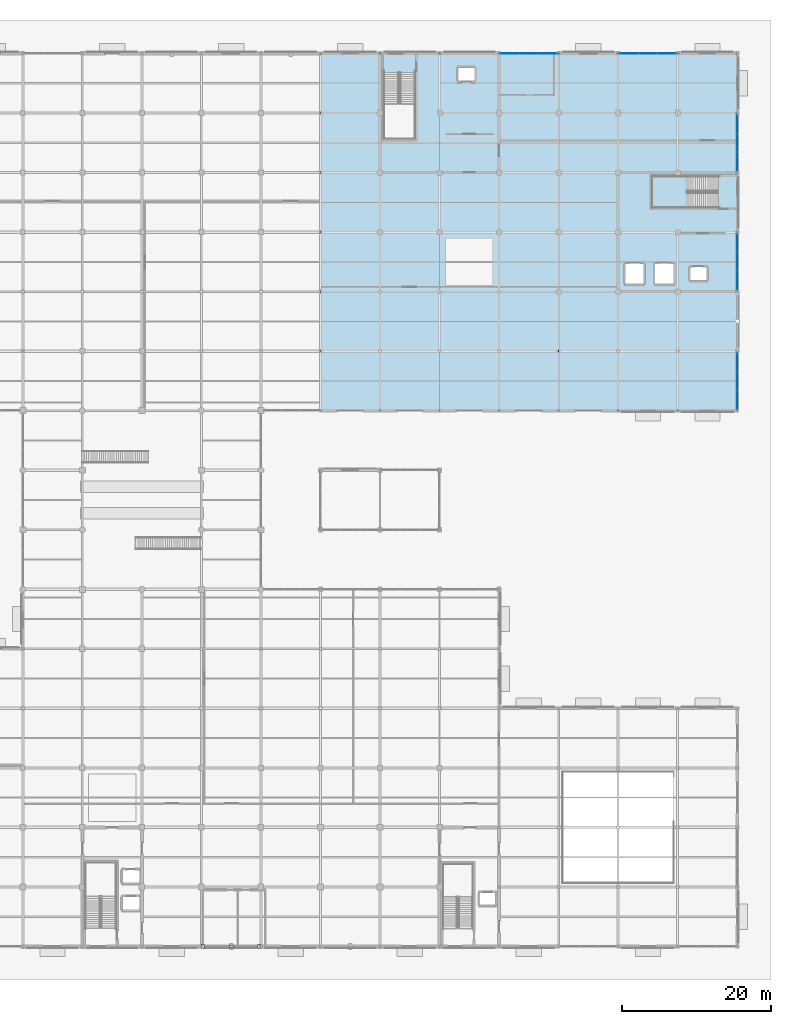
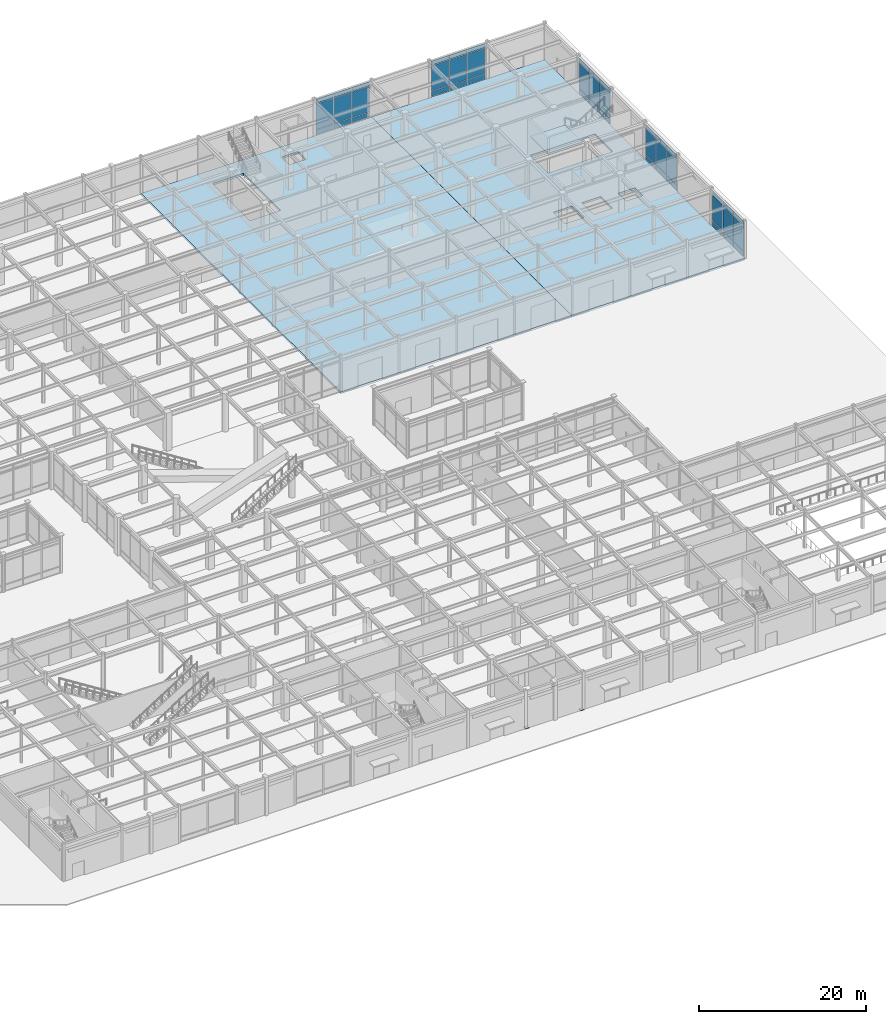
# One storey, part 99 of 128: 48 plates, 3 slabs, 6 elements without a shape of their own.
"""IFC4 building model written with IfcOpenShell, lengths in metres."""

from ifc_helpers import new_model, si_unit, direction, frame, origin, origin_2d, place, context, subcontext, project, spatial, polyline, rectangle, outline, extrude, material, layer, layer_set, type_object, element, aggregate, save


model = new_model("IFC4")

# Units and contexts
model_context = context("Model", 3, precision=1e-05, world=origin(), true_north=direction((0.0, 1.0)))
body_context = subcontext(model_context, "Body", "Model", "MODEL_VIEW")
ifc_project = project(units=[si_unit("LENGTHUNIT", "METRE"), si_unit("AREAUNIT", "SQUARE_METRE"), si_unit("VOLUMEUNIT", "CUBIC_METRE"), si_unit("PLANEANGLEUNIT", "RADIAN"), si_unit("MASSUNIT", "GRAM", prefix="KILO")], contexts=[model_context])

# Site, building, storey
site_placement = place(None, origin())
site = spatial("IfcSite", under=ifc_project, at=site_placement, CompositionType="ELEMENT")
building_placement = place(site_placement, origin())
building = spatial("IfcBuilding", under=site, at=building_placement, Name="Solmirada Galleria", CompositionType="ELEMENT")
storey_placement = place(building_placement, origin())
storey = spatial("IfcBuildingStorey", under=building, at=storey_placement, Name="L00", CompositionType="ELEMENT", Elevation=0.0)

# Curtain wall, plates
ifc_material_1 = material(Name="Impact-resistant low-E double glazing", Category="glass")
curtain_wall_type_1 = type_object("IfcCurtainWallType", Name="CW-FZ2-L00-B3-L076", PredefinedType="NOTDEFINED", material=ifc_material_1)
curtain_wall_1_placement = place(storey_placement, origin())
curtain_wall_1 = element("IfcCurtainWall", 1, at=curtain_wall_1_placement, inside=storey, type_object=curtain_wall_type_1, Name="Terrace and arcade storefront CW-L00-010", PredefinedType="NOTDEFINED")
ifc_layer_1 = layer(ifc_material_1, 0.031982421875)
ifc_layer_set_1 = layer_set([ifc_layer_1], Name="Impact-resistant low-E double glazing")
plate_type_1 = type_object("IfcPlateType", Name="CW-PNL-CW05-T32", PredefinedType="CURTAIN_PANEL", material=ifc_layer_set_1)
plate_1_placement = place(storey_placement, frame((145.487548828125, 120.0, 0.06494140625), z_axis=(0.0, 0.0, 1.0), x_axis=(1.0, 0.0, 0.0)))
plate_1 = element("IfcPlate", 2, at=plate_1_placement, type_object=plate_type_1, Name="CW05 panel 1.1", PredefinedType="CURTAIN_PANEL", context=body_context, shape_type="SweptSolid", body=[
    extrude(rectangle(XDim=2.425048828125, YDim=0.031982421875, at=origin_2d()), origin(), (0.0, 0.0, 1.0), 0.722412109375),
])
plate_2_placement = place(storey_placement, frame((145.487548828125, 120.0, 0.8525390625), z_axis=(0.0, 0.0, 1.0), x_axis=(1.0, 0.0, 0.0)))
plate_2 = element("IfcPlate", 3, at=plate_2_placement, type_object=plate_type_1, Name="CW05 panel 1.2", PredefinedType="CURTAIN_PANEL", context=body_context, shape_type="SweptSolid", body=[
    extrude(rectangle(XDim=2.425048828125, YDim=0.031982421875, at=origin_2d()), origin(), (0.0, 0.0, 1.0), 3.72509765625),
])
plate_3_placement = place(storey_placement, frame((145.487548828125, 120.0, 4.642578125), z_axis=(0.0, 0.0, 1.0), x_axis=(1.0, 0.0, 0.0)))
plate_3 = element("IfcPlate", 4, at=plate_3_placement, type_object=plate_type_1, Name="CW05 panel 1.3", PredefinedType="CURTAIN_PANEL", context=body_context, shape_type="SweptSolid", body=[
    extrude(rectangle(XDim=2.425048828125, YDim=0.031982421875, at=origin_2d()), origin(), (0.0, 0.0, 1.0), 0.612548828125),
])
plate_4_placement = place(storey_placement, frame((148.0, 120.0, 0.06494140625), z_axis=(0.0, 0.0, 1.0), x_axis=(1.0, 0.0, 0.0)))
plate_4 = element("IfcPlate", 5, at=plate_4_placement, type_object=plate_type_1, Name="CW05 panel 2.1", PredefinedType="CURTAIN_PANEL", context=body_context, shape_type="SweptSolid", body=[
    extrude(rectangle(XDim=2.4599609375, YDim=0.031982421875, at=origin_2d()), origin(), (0.0, 0.0, 1.0), 0.722412109375),
])
plate_5_placement = place(storey_placement, frame((148.0, 120.0, 0.8525390625), z_axis=(0.0, 0.0, 1.0), x_axis=(1.0, 0.0, 0.0)))
plate_5 = element("IfcPlate", 6, at=plate_5_placement, type_object=plate_type_1, Name="CW05 panel 2.2", PredefinedType="CURTAIN_PANEL", context=body_context, shape_type="SweptSolid", body=[
    extrude(rectangle(XDim=2.4599609375, YDim=0.031982421875, at=origin_2d()), origin(), (0.0, 0.0, 1.0), 3.72509765625),
])
plate_6_placement = place(storey_placement, frame((148.0, 120.0, 4.642578125), z_axis=(0.0, 0.0, 1.0), x_axis=(1.0, 0.0, 0.0)))
plate_6 = element("IfcPlate", 7, at=plate_6_placement, type_object=plate_type_1, Name="CW05 panel 2.3", PredefinedType="CURTAIN_PANEL", context=body_context, shape_type="SweptSolid", body=[
    extrude(rectangle(XDim=2.4599609375, YDim=0.031982421875, at=origin_2d()), origin(), (0.0, 0.0, 1.0), 0.612548828125),
])
plate_7_placement = place(storey_placement, frame((150.512451171875, 120.0, 0.06494140625), z_axis=(0.0, 0.0, 1.0), x_axis=(1.0, 0.0, 0.0)))
plate_7 = element("IfcPlate", 8, at=plate_7_placement, type_object=plate_type_1, Name="CW05 panel 3.1", PredefinedType="CURTAIN_PANEL", context=body_context, shape_type="SweptSolid", body=[
    extrude(rectangle(XDim=2.425048828125, YDim=0.031982421875, at=origin_2d()), origin(), (0.0, 0.0, 1.0), 0.722412109375),
])
plate_8_placement = place(storey_placement, frame((150.512451171875, 120.0, 0.8525390625), z_axis=(0.0, 0.0, 1.0), x_axis=(1.0, 0.0, 0.0)))
plate_8 = element("IfcPlate", 9, at=plate_8_placement, type_object=plate_type_1, Name="CW05 panel 3.2", PredefinedType="CURTAIN_PANEL", context=body_context, shape_type="SweptSolid", body=[
    extrude(rectangle(XDim=2.425048828125, YDim=0.031982421875, at=origin_2d()), origin(), (0.0, 0.0, 1.0), 3.72509765625),
])
plate_9_placement = place(storey_placement, frame((150.512451171875, 120.0, 4.642578125), z_axis=(0.0, 0.0, 1.0), x_axis=(1.0, 0.0, 0.0)))
plate_9 = element("IfcPlate", 10, at=plate_9_placement, type_object=plate_type_1, Name="CW05 panel 3.3", PredefinedType="CURTAIN_PANEL", context=body_context, shape_type="SweptSolid", body=[
    extrude(rectangle(XDim=2.425048828125, YDim=0.031982421875, at=origin_2d()), origin(), (0.0, 0.0, 1.0), 0.612548828125),
])
aggregate(curtain_wall_1, [plate_1, plate_2, plate_3, plate_4, plate_5, plate_6, plate_7, plate_8, plate_9])

curtain_wall_2_placement = place(storey_placement, origin())
curtain_wall_2 = element("IfcCurtainWall", 11, at=curtain_wall_2_placement, inside=storey, type_object=curtain_wall_type_1, Name="Terrace and arcade storefront CW-L00-011", PredefinedType="NOTDEFINED")
plate_10_placement = place(storey_placement, frame((161.487548828125, 120.0, 0.06494140625), z_axis=(0.0, 0.0, 1.0), x_axis=(1.0, 0.0, 0.0)))
plate_10 = element("IfcPlate", 12, at=plate_10_placement, type_object=plate_type_1, Name="CW05 panel 1.1", PredefinedType="CURTAIN_PANEL", context=body_context, shape_type="SweptSolid", body=[
    extrude(rectangle(XDim=2.425048828125, YDim=0.031982421875, at=origin_2d()), origin(), (0.0, 0.0, 1.0), 0.722412109375),
])
plate_11_placement = place(storey_placement, frame((161.487548828125, 120.0, 0.8525390625), z_axis=(0.0, 0.0, 1.0), x_axis=(1.0, 0.0, 0.0)))
plate_11 = element("IfcPlate", 13, at=plate_11_placement, type_object=plate_type_1, Name="CW05 panel 1.2", PredefinedType="CURTAIN_PANEL", context=body_context, shape_type="SweptSolid", body=[
    extrude(rectangle(XDim=2.425048828125, YDim=0.031982421875, at=origin_2d()), origin(), (0.0, 0.0, 1.0), 3.72509765625),
])
plate_12_placement = place(storey_placement, frame((161.487548828125, 120.0, 4.642578125), z_axis=(0.0, 0.0, 1.0), x_axis=(1.0, 0.0, 0.0)))
plate_12 = element("IfcPlate", 14, at=plate_12_placement, type_object=plate_type_1, Name="CW05 panel 1.3", PredefinedType="CURTAIN_PANEL", context=body_context, shape_type="SweptSolid", body=[
    extrude(rectangle(XDim=2.425048828125, YDim=0.031982421875, at=origin_2d()), origin(), (0.0, 0.0, 1.0), 0.612548828125),
])
plate_13_placement = place(storey_placement, frame((164.0, 120.0, 0.06494140625), z_axis=(0.0, 0.0, 1.0), x_axis=(1.0, 0.0, 0.0)))
plate_13 = element("IfcPlate", 15, at=plate_13_placement, type_object=plate_type_1, Name="CW05 panel 2.1", PredefinedType="CURTAIN_PANEL", context=body_context, shape_type="SweptSolid", body=[
    extrude(rectangle(XDim=2.4599609375, YDim=0.031982421875, at=origin_2d()), origin(), (0.0, 0.0, 1.0), 0.722412109375),
])
plate_14_placement = place(storey_placement, frame((164.0, 120.0, 0.8525390625), z_axis=(0.0, 0.0, 1.0), x_axis=(1.0, 0.0, 0.0)))
plate_14 = element("IfcPlate", 16, at=plate_14_placement, type_object=plate_type_1, Name="CW05 panel 2.2", PredefinedType="CURTAIN_PANEL", context=body_context, shape_type="SweptSolid", body=[
    extrude(rectangle(XDim=2.4599609375, YDim=0.031982421875, at=origin_2d()), origin(), (0.0, 0.0, 1.0), 3.72509765625),
])
plate_15_placement = place(storey_placement, frame((164.0, 120.0, 4.642578125), z_axis=(0.0, 0.0, 1.0), x_axis=(1.0, 0.0, 0.0)))
plate_15 = element("IfcPlate", 17, at=plate_15_placement, type_object=plate_type_1, Name="CW05 panel 2.3", PredefinedType="CURTAIN_PANEL", context=body_context, shape_type="SweptSolid", body=[
    extrude(rectangle(XDim=2.4599609375, YDim=0.031982421875, at=origin_2d()), origin(), (0.0, 0.0, 1.0), 0.612548828125),
])
plate_16_placement = place(storey_placement, frame((166.512451171875, 120.0, 0.06494140625), z_axis=(0.0, 0.0, 1.0), x_axis=(1.0, 0.0, 0.0)))
plate_16 = element("IfcPlate", 18, at=plate_16_placement, type_object=plate_type_1, Name="CW05 panel 3.1", PredefinedType="CURTAIN_PANEL", context=body_context, shape_type="SweptSolid", body=[
    extrude(rectangle(XDim=2.425048828125, YDim=0.031982421875, at=origin_2d()), origin(), (0.0, 0.0, 1.0), 0.722412109375),
])
plate_17_placement = place(storey_placement, frame((166.512451171875, 120.0, 0.8525390625), z_axis=(0.0, 0.0, 1.0), x_axis=(1.0, 0.0, 0.0)))
plate_17 = element("IfcPlate", 19, at=plate_17_placement, type_object=plate_type_1, Name="CW05 panel 3.2", PredefinedType="CURTAIN_PANEL", context=body_context, shape_type="SweptSolid", body=[
    extrude(rectangle(XDim=2.425048828125, YDim=0.031982421875, at=origin_2d()), origin(), (0.0, 0.0, 1.0), 3.72509765625),
])
plate_18_placement = place(storey_placement, frame((166.512451171875, 120.0, 4.642578125), z_axis=(0.0, 0.0, 1.0), x_axis=(1.0, 0.0, 0.0)))
plate_18 = element("IfcPlate", 20, at=plate_18_placement, type_object=plate_type_1, Name="CW05 panel 3.3", PredefinedType="CURTAIN_PANEL", context=body_context, shape_type="SweptSolid", body=[
    extrude(rectangle(XDim=2.425048828125, YDim=0.031982421875, at=origin_2d()), origin(), (0.0, 0.0, 1.0), 0.612548828125),
])
aggregate(curtain_wall_2, [plate_10, plate_11, plate_12, plate_13, plate_14, plate_15, plate_16, plate_17, plate_18])

curtain_wall_3_placement = place(storey_placement, origin())
curtain_wall_3 = element("IfcCurtainWall", 21, at=curtain_wall_3_placement, inside=storey, type_object=curtain_wall_type_1, Name="Terrace and arcade storefront CW-L00-012", PredefinedType="NOTDEFINED")
plate_19_placement = place(storey_placement, frame((176.0, 110.512451171875, 0.06494140625), z_axis=(0.0, 0.0, 1.0), x_axis=(0.0, -1.0, 0.0)))
plate_19 = element("IfcPlate", 22, at=plate_19_placement, type_object=plate_type_1, Name="CW05 panel 1.1", PredefinedType="CURTAIN_PANEL", context=body_context, shape_type="SweptSolid", body=[
    extrude(rectangle(XDim=2.425048828125, YDim=0.031982421875, at=origin_2d()), origin(), (0.0, 0.0, 1.0), 0.722412109375),
])
plate_20_placement = place(storey_placement, frame((176.0, 110.512451171875, 0.8525390625), z_axis=(0.0, 0.0, 1.0), x_axis=(0.0, -1.0, 0.0)))
plate_20 = element("IfcPlate", 23, at=plate_20_placement, type_object=plate_type_1, Name="CW05 panel 1.2", PredefinedType="CURTAIN_PANEL", context=body_context, shape_type="SweptSolid", body=[
    extrude(rectangle(XDim=2.425048828125, YDim=0.031982421875, at=origin_2d()), origin(), (0.0, 0.0, 1.0), 3.72509765625),
])
plate_21_placement = place(storey_placement, frame((176.0, 110.512451171875, 4.642578125), z_axis=(0.0, 0.0, 1.0), x_axis=(0.0, -1.0, 0.0)))
plate_21 = element("IfcPlate", 24, at=plate_21_placement, type_object=plate_type_1, Name="CW05 panel 1.3", PredefinedType="CURTAIN_PANEL", context=body_context, shape_type="SweptSolid", body=[
    extrude(rectangle(XDim=2.425048828125, YDim=0.031982421875, at=origin_2d()), origin(), (0.0, 0.0, 1.0), 0.612548828125),
])
plate_22_placement = place(storey_placement, frame((176.0, 108.0, 0.06494140625), z_axis=(0.0, 0.0, 1.0), x_axis=(0.0, -1.0, 0.0)))
plate_22 = element("IfcPlate", 25, at=plate_22_placement, type_object=plate_type_1, Name="CW05 panel 2.1", PredefinedType="CURTAIN_PANEL", context=body_context, shape_type="SweptSolid", body=[
    extrude(rectangle(XDim=2.4599609375, YDim=0.031982421875, at=origin_2d()), origin(), (0.0, 0.0, 1.0), 0.722412109375),
])
plate_23_placement = place(storey_placement, frame((176.0, 108.0, 0.8525390625), z_axis=(0.0, 0.0, 1.0), x_axis=(0.0, -1.0, 0.0)))
plate_23 = element("IfcPlate", 26, at=plate_23_placement, type_object=plate_type_1, Name="CW05 panel 2.2", PredefinedType="CURTAIN_PANEL", context=body_context, shape_type="SweptSolid", body=[
    extrude(rectangle(XDim=2.4599609375, YDim=0.031982421875, at=origin_2d()), origin(), (0.0, 0.0, 1.0), 3.72509765625),
])
plate_24_placement = place(storey_placement, frame((176.0, 108.0, 4.642578125), z_axis=(0.0, 0.0, 1.0), x_axis=(0.0, -1.0, 0.0)))
plate_24 = element("IfcPlate", 27, at=plate_24_placement, type_object=plate_type_1, Name="CW05 panel 2.3", PredefinedType="CURTAIN_PANEL", context=body_context, shape_type="SweptSolid", body=[
    extrude(rectangle(XDim=2.4599609375, YDim=0.031982421875, at=origin_2d()), origin(), (0.0, 0.0, 1.0), 0.612548828125),
])
plate_25_placement = place(storey_placement, frame((176.0, 105.487548828125, 0.06494140625), z_axis=(0.0, 0.0, 1.0), x_axis=(0.0, -1.0, 0.0)))
plate_25 = element("IfcPlate", 28, at=plate_25_placement, type_object=plate_type_1, Name="CW05 panel 3.1", PredefinedType="CURTAIN_PANEL", context=body_context, shape_type="SweptSolid", body=[
    extrude(rectangle(XDim=2.425048828125, YDim=0.031982421875, at=origin_2d()), origin(), (0.0, 0.0, 1.0), 0.722412109375),
])
plate_26_placement = place(storey_placement, frame((176.0, 105.487548828125, 0.8525390625), z_axis=(0.0, 0.0, 1.0), x_axis=(0.0, -1.0, 0.0)))
plate_26 = element("IfcPlate", 29, at=plate_26_placement, type_object=plate_type_1, Name="CW05 panel 3.2", PredefinedType="CURTAIN_PANEL", context=body_context, shape_type="SweptSolid", body=[
    extrude(rectangle(XDim=2.425048828125, YDim=0.031982421875, at=origin_2d()), origin(), (0.0, 0.0, 1.0), 3.72509765625),
])
plate_27_placement = place(storey_placement, frame((176.0, 105.487548828125, 4.642578125), z_axis=(0.0, 0.0, 1.0), x_axis=(0.0, -1.0, 0.0)))
plate_27 = element("IfcPlate", 30, at=plate_27_placement, type_object=plate_type_1, Name="CW05 panel 3.3", PredefinedType="CURTAIN_PANEL", context=body_context, shape_type="SweptSolid", body=[
    extrude(rectangle(XDim=2.425048828125, YDim=0.031982421875, at=origin_2d()), origin(), (0.0, 0.0, 1.0), 0.612548828125),
])
aggregate(curtain_wall_3, [plate_19, plate_20, plate_21, plate_22, plate_23, plate_24, plate_25, plate_26, plate_27])

curtain_wall_4_placement = place(storey_placement, origin())
curtain_wall_4 = element("IfcCurtainWall", 31, at=curtain_wall_4_placement, inside=storey, type_object=curtain_wall_type_1, Name="Terrace and arcade storefront CW-L00-013", PredefinedType="NOTDEFINED")
plate_28_placement = place(storey_placement, frame((176.0, 94.512451171875, 0.06494140625), z_axis=(0.0, 0.0, 1.0), x_axis=(0.0, -1.0, 0.0)))
plate_28 = element("IfcPlate", 32, at=plate_28_placement, type_object=plate_type_1, Name="CW05 panel 1.1", PredefinedType="CURTAIN_PANEL", context=body_context, shape_type="SweptSolid", body=[
    extrude(rectangle(XDim=2.425048828125, YDim=0.031982421875, at=origin_2d()), origin(), (0.0, 0.0, 1.0), 0.722412109375),
])
plate_29_placement = place(storey_placement, frame((176.0, 94.512451171875, 0.8525390625), z_axis=(0.0, 0.0, 1.0), x_axis=(0.0, -1.0, 0.0)))
plate_29 = element("IfcPlate", 33, at=plate_29_placement, type_object=plate_type_1, Name="CW05 panel 1.2", PredefinedType="CURTAIN_PANEL", context=body_context, shape_type="SweptSolid", body=[
    extrude(rectangle(XDim=2.425048828125, YDim=0.031982421875, at=origin_2d()), origin(), (0.0, 0.0, 1.0), 3.72509765625),
])
plate_30_placement = place(storey_placement, frame((176.0, 94.512451171875, 4.642578125), z_axis=(0.0, 0.0, 1.0), x_axis=(0.0, -1.0, 0.0)))
plate_30 = element("IfcPlate", 34, at=plate_30_placement, type_object=plate_type_1, Name="CW05 panel 1.3", PredefinedType="CURTAIN_PANEL", context=body_context, shape_type="SweptSolid", body=[
    extrude(rectangle(XDim=2.425048828125, YDim=0.031982421875, at=origin_2d()), origin(), (0.0, 0.0, 1.0), 0.612548828125),
])
plate_31_placement = place(storey_placement, frame((176.0, 92.0, 0.06494140625), z_axis=(0.0, 0.0, 1.0), x_axis=(0.0, -1.0, 0.0)))
plate_31 = element("IfcPlate", 35, at=plate_31_placement, type_object=plate_type_1, Name="CW05 panel 2.1", PredefinedType="CURTAIN_PANEL", context=body_context, shape_type="SweptSolid", body=[
    extrude(rectangle(XDim=2.4599609375, YDim=0.031982421875, at=origin_2d()), origin(), (0.0, 0.0, 1.0), 0.722412109375),
])
plate_32_placement = place(storey_placement, frame((176.0, 92.0, 0.8525390625), z_axis=(0.0, 0.0, 1.0), x_axis=(0.0, -1.0, 0.0)))
plate_32 = element("IfcPlate", 36, at=plate_32_placement, type_object=plate_type_1, Name="CW05 panel 2.2", PredefinedType="CURTAIN_PANEL", context=body_context, shape_type="SweptSolid", body=[
    extrude(rectangle(XDim=2.4599609375, YDim=0.031982421875, at=origin_2d()), origin(), (0.0, 0.0, 1.0), 3.72509765625),
])
plate_33_placement = place(storey_placement, frame((176.0, 92.0, 4.642578125), z_axis=(0.0, 0.0, 1.0), x_axis=(0.0, -1.0, 0.0)))
plate_33 = element("IfcPlate", 37, at=plate_33_placement, type_object=plate_type_1, Name="CW05 panel 2.3", PredefinedType="CURTAIN_PANEL", context=body_context, shape_type="SweptSolid", body=[
    extrude(rectangle(XDim=2.4599609375, YDim=0.031982421875, at=origin_2d()), origin(), (0.0, 0.0, 1.0), 0.612548828125),
])
plate_34_placement = place(storey_placement, frame((176.0, 89.487548828125, 0.06494140625), z_axis=(0.0, 0.0, 1.0), x_axis=(0.0, -1.0, 0.0)))
plate_34 = element("IfcPlate", 38, at=plate_34_placement, type_object=plate_type_1, Name="CW05 panel 3.1", PredefinedType="CURTAIN_PANEL", context=body_context, shape_type="SweptSolid", body=[
    extrude(rectangle(XDim=2.425048828125, YDim=0.031982421875, at=origin_2d()), origin(), (0.0, 0.0, 1.0), 0.722412109375),
])
plate_35_placement = place(storey_placement, frame((176.0, 89.487548828125, 0.8525390625), z_axis=(0.0, 0.0, 1.0), x_axis=(0.0, -1.0, 0.0)))
plate_35 = element("IfcPlate", 39, at=plate_35_placement, type_object=plate_type_1, Name="CW05 panel 3.2", PredefinedType="CURTAIN_PANEL", context=body_context, shape_type="SweptSolid", body=[
    extrude(rectangle(XDim=2.425048828125, YDim=0.031982421875, at=origin_2d()), origin(), (0.0, 0.0, 1.0), 3.72509765625),
])
plate_36_placement = place(storey_placement, frame((176.0, 89.487548828125, 4.642578125), z_axis=(0.0, 0.0, 1.0), x_axis=(0.0, -1.0, 0.0)))
plate_36 = element("IfcPlate", 40, at=plate_36_placement, type_object=plate_type_1, Name="CW05 panel 3.3", PredefinedType="CURTAIN_PANEL", context=body_context, shape_type="SweptSolid", body=[
    extrude(rectangle(XDim=2.425048828125, YDim=0.031982421875, at=origin_2d()), origin(), (0.0, 0.0, 1.0), 0.612548828125),
])
aggregate(curtain_wall_4, [plate_28, plate_29, plate_30, plate_31, plate_32, plate_33, plate_34, plate_35, plate_36])

curtain_wall_type_2 = type_object("IfcCurtainWallType", Name="CW-FZ2-L00-B3-L077", PredefinedType="NOTDEFINED", material=ifc_material_1)
curtain_wall_5_placement = place(storey_placement, origin())
curtain_wall_5 = element("IfcCurtainWall", 41, at=curtain_wall_5_placement, inside=storey, type_object=curtain_wall_type_2, Name="Terrace and arcade storefront CW-L00-014", PredefinedType="NOTDEFINED")
ifc_layer_2 = layer(ifc_material_1, 0.035888671875)
ifc_layer_set_2 = layer_set([ifc_layer_2], Name="Impact-resistant low-E double glazing")
plate_type_2 = type_object("IfcPlateType", Name="CW-PNL-CW06-T36", PredefinedType="CURTAIN_PANEL", material=ifc_layer_set_2)
plate_37_placement = place(storey_placement, frame((176.0, 78.52490234375, 0.06494140625), z_axis=(0.0, 0.0, 1.0), x_axis=(0.0, -1.0, 0.0)))
plate_37 = element("IfcPlate", 42, at=plate_37_placement, type_object=plate_type_2, Name="CW06 panel 1.1", PredefinedType="CURTAIN_PANEL", context=body_context, shape_type="SweptSolid", body=[
    extrude(rectangle(XDim=2.4501953125, YDim=0.035888671875, at=origin_2d()), origin(), (0.0, 0.0, 1.0), 0.722412109375),
])
plate_38_placement = place(storey_placement, frame((176.0, 78.52490234375, 0.8525390625), z_axis=(0.0, 0.0, 1.0), x_axis=(0.0, -1.0, 0.0)))
plate_38 = element("IfcPlate", 43, at=plate_38_placement, type_object=plate_type_2, Name="CW06 panel 1.2", PredefinedType="CURTAIN_PANEL", context=body_context, shape_type="SweptSolid", body=[
    extrude(rectangle(XDim=2.4501953125, YDim=0.035888671875, at=origin_2d()), origin(), (0.0, 0.0, 1.0), 3.72509765625),
])
plate_39_placement = place(storey_placement, frame((176.0, 78.52490234375, 4.642578125), z_axis=(0.0, 0.0, 1.0), x_axis=(0.0, -1.0, 0.0)))
plate_39 = element("IfcPlate", 44, at=plate_39_placement, type_object=plate_type_2, Name="CW06 panel 1.3", PredefinedType="CURTAIN_PANEL", context=body_context, shape_type="SweptSolid", body=[
    extrude(rectangle(XDim=2.4501953125, YDim=0.035888671875, at=origin_2d()), origin(), (0.0, 0.0, 1.0), 0.612548828125),
])
plate_40_placement = place(storey_placement, frame((176.0, 75.9873046875, 0.06494140625), z_axis=(0.0, 0.0, 1.0), x_axis=(0.0, -1.0, 0.0)))
plate_40 = element("IfcPlate", 45, at=plate_40_placement, type_object=plate_type_2, Name="CW06 panel 2.1", PredefinedType="CURTAIN_PANEL", context=body_context, shape_type="SweptSolid", body=[
    extrude(rectangle(XDim=2.485107421875, YDim=0.035888671875, at=origin_2d()), origin(), (0.0, 0.0, 1.0), 0.722412109375),
])
plate_41_placement = place(storey_placement, frame((176.0, 75.9873046875, 0.8525390625), z_axis=(0.0, 0.0, 1.0), x_axis=(0.0, -1.0, 0.0)))
plate_41 = element("IfcPlate", 46, at=plate_41_placement, type_object=plate_type_2, Name="CW06 panel 2.2", PredefinedType="CURTAIN_PANEL", context=body_context, shape_type="SweptSolid", body=[
    extrude(rectangle(XDim=2.485107421875, YDim=0.035888671875, at=origin_2d()), origin(), (0.0, 0.0, 1.0), 3.72509765625),
])
plate_42_placement = place(storey_placement, frame((176.0, 75.9873046875, 4.642578125), z_axis=(0.0, 0.0, 1.0), x_axis=(0.0, -1.0, 0.0)))
plate_42 = element("IfcPlate", 47, at=plate_42_placement, type_object=plate_type_2, Name="CW06 panel 2.3", PredefinedType="CURTAIN_PANEL", context=body_context, shape_type="SweptSolid", body=[
    extrude(rectangle(XDim=2.485107421875, YDim=0.035888671875, at=origin_2d()), origin(), (0.0, 0.0, 1.0), 0.612548828125),
])
plate_43_placement = place(storey_placement, frame((176.0, 73.449462890625, 0.06494140625), z_axis=(0.0, 0.0, 1.0), x_axis=(0.0, -1.0, 0.0)))
plate_43 = element("IfcPlate", 48, at=plate_43_placement, type_object=plate_type_2, Name="CW06 panel 3.1", PredefinedType="CURTAIN_PANEL", context=body_context, shape_type="SweptSolid", body=[
    extrude(rectangle(XDim=2.4501953125, YDim=0.035888671875, at=origin_2d()), origin(), (0.0, 0.0, 1.0), 0.722412109375),
])
plate_44_placement = place(storey_placement, frame((176.0, 73.449462890625, 0.8525390625), z_axis=(0.0, 0.0, 1.0), x_axis=(0.0, -1.0, 0.0)))
plate_44 = element("IfcPlate", 49, at=plate_44_placement, type_object=plate_type_2, Name="CW06 panel 3.2", PredefinedType="CURTAIN_PANEL", context=body_context, shape_type="SweptSolid", body=[
    extrude(rectangle(XDim=2.4501953125, YDim=0.035888671875, at=origin_2d()), origin(), (0.0, 0.0, 1.0), 3.72509765625),
])
plate_45_placement = place(storey_placement, frame((176.0, 73.449462890625, 4.642578125), z_axis=(0.0, 0.0, 1.0), x_axis=(0.0, -1.0, 0.0)))
plate_45 = element("IfcPlate", 50, at=plate_45_placement, type_object=plate_type_2, Name="CW06 panel 3.3", PredefinedType="CURTAIN_PANEL", context=body_context, shape_type="SweptSolid", body=[
    extrude(rectangle(XDim=2.4501953125, YDim=0.035888671875, at=origin_2d()), origin(), (0.0, 0.0, 1.0), 0.612548828125),
])
aggregate(curtain_wall_5, [plate_37, plate_38, plate_39, plate_40, plate_41, plate_42, plate_43, plate_44, plate_45])

# Plates
ifc_material_2 = material(Name="Steel S355 / ASTM A572 Grade 50", Category="steel")
ifc_layer_3 = layer(ifc_material_2, 0.028076171875)
ifc_layer_set_3 = layer_set([ifc_layer_3], Name="Steel S355 / ASTM A572 Grade 50")
plate_type_3 = type_object("IfcPlateType", Name="PLT-NODE-02", PredefinedType="SHEET", material=ifc_layer_set_3)
for number, where, z_axis, x_axis, name in (
    (51, (104.202880859375, 0.0, 0.005859375), (0.0, 0.0, 1.0), (1.0, 0.0, 0.0), "Braced frame gusset plate CBF-S1 L00 LA"),
    (52, (111.797119140625, 0.0, 0.005859375), (0.0, 0.0, 1.0), (1.0, 0.0, 0.0), "Braced frame gusset plate CBF-S1 L00 RA"),
):
    element("IfcPlate", number, at=place(storey_placement, frame(where, z_axis=z_axis, x_axis=x_axis)), inside=storey, type_object=plate_type_3, Name=name, PredefinedType="SHEET", context=body_context, shape_type="SweptSolid", body=[
        extrude(rectangle(XDim=0.47998046875, YDim=0.47998046875, at=origin_2d()), origin(), (0.0, 0.0, 1.0), 0.028076171875),
    ])
ifc_layer_4 = layer(ifc_material_2, 0.035888671875)
ifc_layer_set_4 = layer_set([ifc_layer_4], Name="Steel S355 / ASTM A572 Grade 50")
plate_type_4 = type_object("IfcPlateType", Name="PLT-NODE-04", PredefinedType="SHEET", material=ifc_layer_set_4)
plate_46_placement = place(storey_placement, frame((108.0, 0.0, 4.86181640625), z_axis=(0.0, 0.0, 1.0), x_axis=(1.0, 0.0, 0.0)))
element("IfcPlate", 53, at=plate_46_placement, inside=storey, type_object=plate_type_4, Name="Braced frame gusset plate CBF-S1 L00 AP", PredefinedType="SHEET", context=body_context, shape_type="SweptSolid", body=[
    extrude(rectangle(XDim=0.64990234375, YDim=0.449951171875, at=origin_2d()), origin(), (0.0, 0.0, 1.0), 0.035888671875),
])

# Slabs
ifc_material_3 = material(Name="Concrete C35/45", Category="concrete")
ifc_layer_5 = layer(ifc_material_3, 0.300048828125)
ifc_layer_set_5 = layer_set([ifc_layer_5], Name="Concrete C35/45")
slab_type_1 = type_object("IfcSlabType", Name="SLB-DOCK-300", PredefinedType="FLOOR", material=ifc_layer_set_5)
slab_1_placement = place(storey_placement, frame((0.0, 0.0, -0.300048828125)))
element("IfcSlab", 54, at=slab_1_placement, inside=storey, type_object=slab_type_1, Name="Slab L00-NE-W", PredefinedType="FLOOR", context=body_context, shape_type="SweptSolid", body=[
    extrude(outline(polyline([(120.0, 72.0), (152.0, 72.0), (152.0, 120.0), (120.0, 120.0), (120.0, 72.0)]), holes=[polyline([(128.5, 108.5), (132.75, 108.5), (132.75, 117.449951171875), (128.5, 117.449951171875), (128.5, 108.5)]), polyline([(138.449951171875, 116.27490234375), (140.75, 116.27490234375), (140.75, 118.125), (138.449951171875, 118.125), (138.449951171875, 116.27490234375)])]), origin(), (0.0, 0.0, 1.0), 0.300048828125),
])
slab_2_placement = place(storey_placement, frame((0.0, 0.0, -0.300048828125)))
element("IfcSlab", 55, at=slab_2_placement, inside=storey, type_object=slab_type_1, Name="Slab L00-NE-E", PredefinedType="FLOOR", context=body_context, shape_type="SweptSolid", body=[
    extrude(outline(polyline([(152.0, 72.0), (176.0, 72.0), (176.0, 120.0), (152.0, 120.0), (152.0, 72.0)]), holes=[polyline([(164.5, 99.25), (173.449951171875, 99.25), (173.449951171875, 103.5), (164.5, 103.5), (164.5, 99.25)]), polyline([(169.64990234375, 89.47509765625), (171.949951171875, 89.47509765625), (171.949951171875, 91.324951171875), (169.64990234375, 91.324951171875), (169.64990234375, 89.47509765625)]), polyline([(164.89990234375, 89.0), (167.5, 89.0), (167.5, 91.800048828125), (164.89990234375, 91.800048828125), (164.89990234375, 89.0)]), polyline([(160.89990234375, 89.0), (163.5, 89.0), (163.5, 91.800048828125), (160.89990234375, 91.800048828125), (160.89990234375, 89.0)])]), origin(), (0.0, 0.0, 1.0), 0.300048828125),
])

# Stair, slab
stair_type = type_object("IfcStairType", Name="STR-DOG-205-H56", PredefinedType="HALF_TURN_STAIR", material=ifc_material_3)
stair_placement = place(storey_placement, origin())
stair = element("IfcStair", 56, at=stair_placement, inside=storey, type_object=stair_type, Name="L00 East Avenue High-Rise and Freight Core Exit Stair ST4", PredefinedType="HALF_TURN_STAIR")
ifc_layer_6 = layer(ifc_material_3, 0.199951171875)
ifc_layer_set_6 = layer_set([ifc_layer_6], Name="Concrete C35/45")
slab_type_2 = type_object("IfcSlabType", Name="SLB-LAND-200", PredefinedType="LANDING", material=ifc_layer_set_6)
slab_3_placement = place(storey_placement, frame((0.0, 0.0, 2.60009765625)))
slab_3 = element("IfcSlab", 57, at=slab_3_placement, type_object=slab_type_2, Name="ST4 landing 1", PredefinedType="LANDING", context=body_context, shape_type="SweptSolid", body=[
    extrude(outline(polyline([(169.25, 103.5), (164.5, 103.5), (164.5, 99.25), (169.25, 99.25), (169.25, 103.5)])), origin(), (0.0, 0.0, 1.0), 0.199951171875),
])
aggregate(stair, [slab_3])

save(model, "model.ifc")
